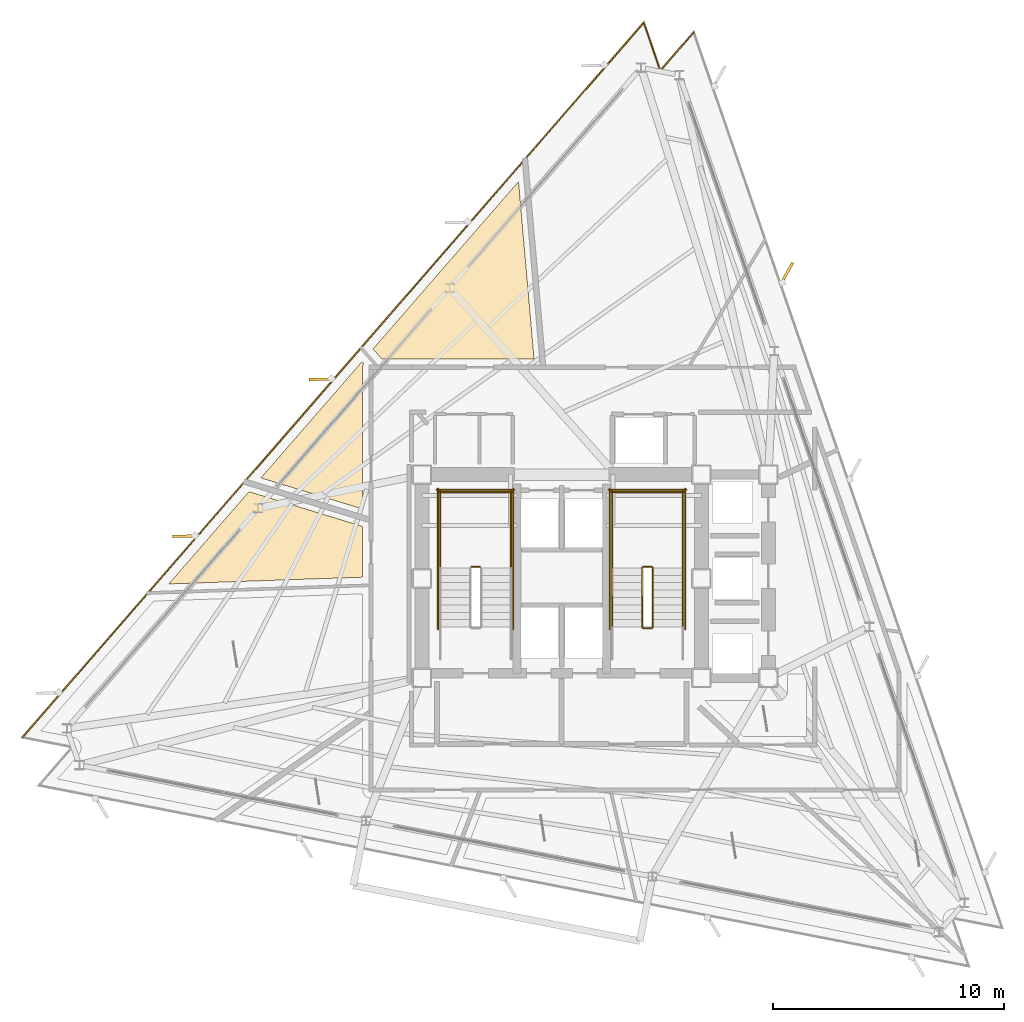
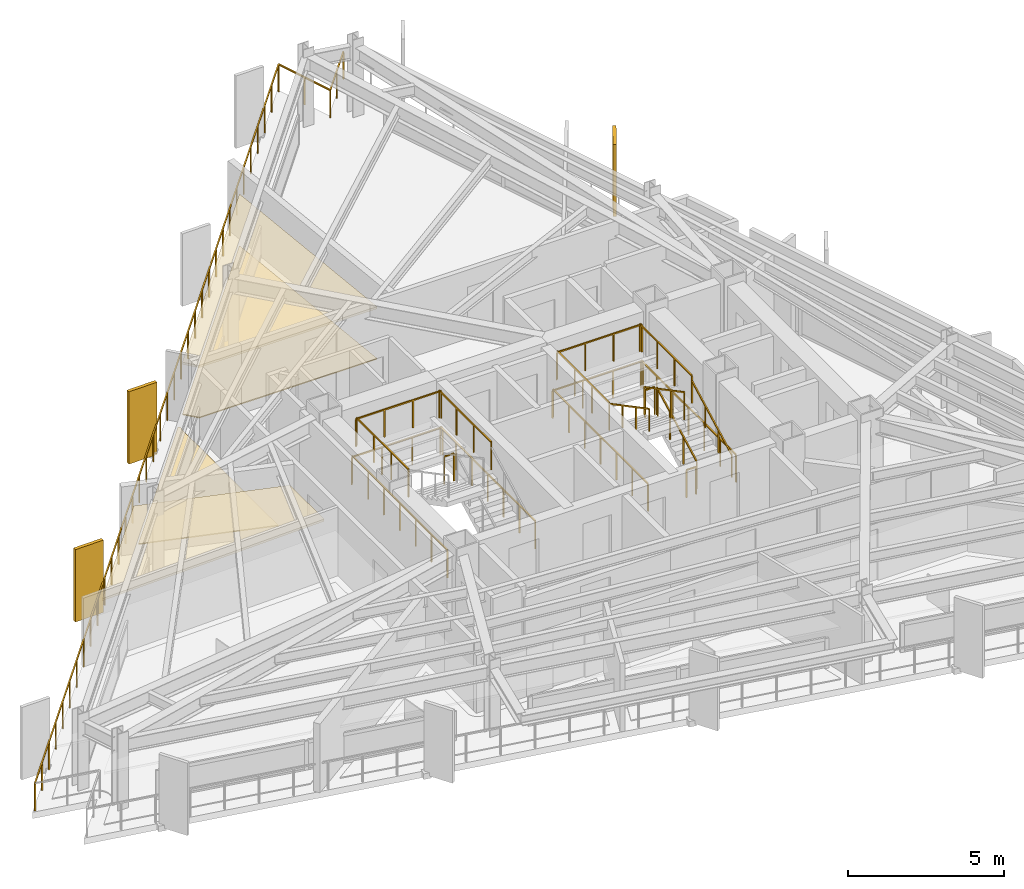
# One storey, part 13 of 14: 20 railings, 4 coverings, 3 shading devices.
"""IFC4 building model written with IfcOpenShell, lengths in metres."""

from ifc_helpers import new_model, si_unit, direction, frame, origin, origin_2d, place, context, subcontext, project, spatial, polyline, rectangle, outline, extrude, material, layer, layer_set, type_object, element, save


model = new_model("IFC4")

# Units and contexts
model_context = context("Model", 3, precision=1e-05, world=origin(), true_north=direction((0.0, 1.0)))
body_context = subcontext(model_context, "Body", "Model", "MODEL_VIEW")
ifc_project = project(units=[si_unit("LENGTHUNIT", "METRE"), si_unit("AREAUNIT", "SQUARE_METRE"), si_unit("VOLUMEUNIT", "CUBIC_METRE"), si_unit("PLANEANGLEUNIT", "RADIAN"), si_unit("MASSUNIT", "GRAM", prefix="KILO")], contexts=[model_context])

# Site, building, storey
site_placement = place(None, origin())
site = spatial("IfcSite", under=ifc_project, at=site_placement, CompositionType="ELEMENT")
building_placement = place(site_placement, origin())
building = spatial("IfcBuilding", under=site, at=building_placement, Name="Rocaltana Carrier Exchange", CompositionType="ELEMENT")
storey_placement = place(building_placement, frame((0.0, 0.0, 168.47998046875)))
storey = spatial("IfcBuildingStorey", under=building, at=storey_placement, Name="L53", CompositionType="ELEMENT", Elevation=168.47998046875)

# Coverings
ifc_material_1 = material(Name="Honed Bogota Sandstone Tile", Category="masonry")
ifc_layer_1 = layer(ifc_material_1, 0.0400390625)
ifc_layer_set_1 = layer_set([ifc_layer_1], Name="Honed Bogota Sandstone Tile")
covering_type_1 = type_object("IfcCoveringType", Name="Honed Stone Lobby Flooring 40", PredefinedType="FLOORING", material=ifc_layer_set_1)
covering_1_placement = place(storey_placement, origin())
element("IfcCovering", 1, at=covering_1_placement, inside=storey, type_object=covering_type_1, Name="L53 Carrier Peering Suite Finish Floor", PredefinedType="FLOORING", context=body_context, shape_type="SweptSolid", body=[
    extrude(outline(polyline([(-1.864990234375, 17.1875), (-1.193359375, 9.510009765625), (-7.789794921875, 9.510009765625), (-8.16455078125, 9.94091796875), (-1.864990234375, 17.1875)])), origin(), (0.0, 0.0, 1.0), 0.0400390625),
])
covering_2_placement = place(storey_placement, origin())
element("IfcCovering", 2, at=covering_2_placement, inside=storey, type_object=covering_type_1, Name="L53 Carrier Peering Suite Finish Floor", PredefinedType="FLOORING", context=body_context, shape_type="SweptSolid", body=[
    extrude(outline(polyline([(-8.6416015625, 9.39208984375), (-8.5712890625, 9.3115234375), (-8.57373046875, 9.307373046875), (-8.576904296875, 9.30029296875), (-8.58740234375, 9.27490234375), (-8.590087890625, 9.267578125), (-8.59814453125, 9.2412109375), (-8.60009765625, 9.233642578125), (-8.60546875, 9.206787109375), (-8.606689453125, 9.198974609375), (-8.609375, 9.171630859375), (-8.609619140625, 9.163818359375), (-8.610107421875, 9.14990234375), (-8.610107421875, 3.0087890625), (-13.018798828125, 4.356689453125), (-8.6416015625, 9.39208984375)])), origin(), (0.0, 0.0, 1.0), 0.0400390625),
])
ifc_material_2 = material(Name="Anodised Aluminium 6063-T6", Category="aluminium")
ifc_layer_2 = layer(ifc_material_2, 0.0849609375)
ifc_layer_set_2 = layer_set([ifc_layer_2], Name="Anodised Aluminium 6063-T6")
covering_type_2 = type_object("IfcCoveringType", Name="Linear Baffle Acoustic Ceiling 85", PredefinedType="CEILING", material=ifc_layer_set_2)
covering_3_placement = place(storey_placement, frame((0.0, 0.0, 1.98291015625)))
element("IfcCovering", 3, at=covering_3_placement, inside=storey, type_object=covering_type_2, Name="L53 Carrier Peering Suite Acoustic Ceiling", PredefinedType="CEILING", context=body_context, shape_type="SweptSolid", body=[
    extrude(outline(polyline([(-1.864990234375, 17.1875), (-1.193359375, 9.510009765625), (-7.789794921875, 9.510009765625), (-8.16455078125, 9.94091796875), (-1.864990234375, 17.1875)])), origin(), (0.0, 0.0, 1.0), 0.085205078125),
])
covering_4_placement = place(storey_placement, frame((0.0, 0.0, 1.98291015625)))
element("IfcCovering", 4, at=covering_4_placement, inside=storey, type_object=covering_type_2, Name="L53 Sky Transfer Lounge Acoustic Ceiling", PredefinedType="CEILING", context=body_context, shape_type="SweptSolid", body=[
    extrude(outline(polyline([(-13.535888671875, 3.761962890625), (-8.610107421875, 2.255859375), (-8.610107421875, 0.0595703125), (-17.009033203125, -0.23388671875), (-13.535888671875, 3.761962890625)])), origin(), (0.0, 0.0, 1.0), 0.085205078125),
])

# Railings
ifc_material_3 = material(Name="Brushed Architectural Stainless Tube", Category="steel")
ifc_layer_3 = layer(ifc_material_3, 0.048095703125)
ifc_layer_set_3 = layer_set([ifc_layer_3], Name="Brushed Architectural Stainless Tube")
railing_type_1 = type_object("IfcRailingType", Name="Stair Wall Handrail 920", PredefinedType="HANDRAIL", material=ifc_layer_set_3)
railing_1_placement = place(storey_placement, frame((5.25, -2.10009765625, 0.1689453125)))
element("IfcRailing", 5, at=railing_1_placement, inside=storey, type_object=railing_type_1, Name="L53 ST-2 stair handrail 1", PredefinedType="HANDRAIL", context=body_context, shape_type="SweptSolid", body=[
    extrude(rectangle(XDim=0.048095703125, YDim=0.048095703125, at=origin_2d()), frame((0.0, 0.0, 0.8759765625), z_axis=(0.0, 0.884394423565, 0.466740295633), x_axis=(-1.0, 0.0, 0.0)), (0.0, 0.0, 1.0), 2.894775390625),
    extrude(rectangle(XDim=0.0419921875, YDim=0.0419921875, at=origin_2d()), origin(), (0.0, 0.0, 1.0), 0.851806640625),
    extrude(rectangle(XDim=0.0419921875, YDim=0.0419921875, at=origin_2d()), frame((0.0, 0.853271484375, 0.450439453125)), (0.0, 0.0, 1.0), 0.851806640625),
    extrude(rectangle(XDim=0.0419921875, YDim=0.0419921875, at=origin_2d()), frame((0.0, 1.706787109375, 0.900634765625)), (0.0, 0.0, 1.0), 0.851806640625),
    extrude(rectangle(XDim=0.0419921875, YDim=0.0419921875, at=origin_2d()), frame((0.0, 2.56005859375, 1.35107421875)), (0.0, 0.0, 1.0), 0.851806640625),
])
railing_2_placement = place(storey_placement, frame((2.18994140625, 0.4599609375, 1.68896484375)))
element("IfcRailing", 6, at=railing_2_placement, inside=storey, type_object=railing_type_1, Name="L53 ST-2 stair handrail 2", PredefinedType="HANDRAIL", context=body_context, shape_type="SweptSolid", body=[
    extrude(rectangle(XDim=0.048095703125, YDim=0.048095703125, at=origin_2d()), frame((0.0, 0.0, 0.8759765625), z_axis=(0.0, -0.884394423565, 0.466740295633), x_axis=(1.0, 0.0, 0.0)), (0.0, 0.0, 1.0), 2.894775390625),
    extrude(rectangle(XDim=0.0419921875, YDim=0.0419921875, at=origin_2d()), origin(), (0.0, 0.0, 1.0), 0.851806640625),
    extrude(rectangle(XDim=0.0419921875, YDim=0.0419921875, at=origin_2d()), frame((0.0, -0.853271484375, 0.450439453125)), (0.0, 0.0, 1.0), 0.851806640625),
    extrude(rectangle(XDim=0.0419921875, YDim=0.0419921875, at=origin_2d()), frame((0.0, -1.706787109375, 0.900634765625)), (0.0, 0.0, 1.0), 0.851806640625),
    extrude(rectangle(XDim=0.0419921875, YDim=0.0419921875, at=origin_2d()), frame((0.0, -2.56005859375, 1.35107421875)), (0.0, 0.0, 1.0), 0.851806640625),
])
ifc_material_4 = material(Name="Powder-Coated Aluminium 6063-T6", Category="aluminium")
ifc_layer_4 = layer(ifc_material_4, 0.048095703125)
ifc_layer_set_4 = layer_set([ifc_layer_4], Name="Powder-Coated Aluminium 6063-T6")
railing_type_2 = type_object("IfcRailingType", Name="Stair Well Guardrail 1100", PredefinedType="GUARDRAIL", material=ifc_layer_set_4)
railing_3_placement = place(storey_placement, frame((-3.5400390625, 0.510009765625, 1.52001953125)))
element("IfcRailing", 7, at=railing_3_placement, inside=storey, type_object=railing_type_2, Name="L53 ST-1 stair guard 2", PredefinedType="GUARDRAIL", context=body_context, shape_type="SweptSolid", body=[
    extrude(rectangle(XDim=0.048095703125, YDim=0.048095703125, at=origin_2d()), frame((0.0, 0.0, 1.076171875), z_axis=(-1.0, 0.0, 0.0), x_axis=(0.0, -1.0, 0.0)), (0.0, 0.0, 1.0), 0.35986328125),
    extrude(rectangle(XDim=0.0419921875, YDim=0.0419921875, at=origin_2d()), origin(), (0.0, 0.0, 1.0), 1.052001953125),
    extrude(rectangle(XDim=0.0419921875, YDim=0.0419921875, at=origin_2d()), frame((-0.35986328125, 0.0, 0.0)), (0.0, 0.0, 1.0), 1.052001953125),
])
for number, where, name in (
    (8, (-2.18994140625, 0.4599609375, 1.52001953125), "L53 ST-1 stair guard 3"),
    (9, (-5.25, 0.4599609375, 1.52001953125), "L53 ST-1 stair guard 4"),
):
    element("IfcRailing", number, at=place(storey_placement, frame(where)), inside=storey, type_object=railing_type_2, Name=name, PredefinedType="GUARDRAIL", context=body_context, shape_type="SweptSolid", body=[
        extrude(rectangle(XDim=0.048095703125, YDim=0.048095703125, at=origin_2d()), frame((0.0, 0.0, 1.076171875), z_axis=(0.0, 1.0, 0.0), x_axis=(-1.0, 0.0, 0.0)), (0.0, 0.0, 1.0), 3.340087890625),
        extrude(rectangle(XDim=0.0419921875, YDim=0.0419921875, at=origin_2d()), origin(), (0.0, 0.0, 1.0), 1.052001953125),
        extrude(rectangle(XDim=0.0419921875, YDim=0.0419921875, at=origin_2d()), frame((0.0, 1.11328125, 0.0)), (0.0, 0.0, 1.0), 1.052001953125),
        extrude(rectangle(XDim=0.0419921875, YDim=0.0419921875, at=origin_2d()), frame((0.0, 2.226806640625, 0.0)), (0.0, 0.0, 1.0), 1.052001953125),
        extrude(rectangle(XDim=0.0419921875, YDim=0.0419921875, at=origin_2d()), frame((0.0, 3.340087890625, 0.0)), (0.0, 0.0, 1.0), 1.052001953125),
    ])
railing_4_placement = place(storey_placement, frame((-2.139892578125, 3.75, 1.52001953125)))
element("IfcRailing", 10, at=railing_4_placement, inside=storey, type_object=railing_type_2, Name="L53 ST-1 stair guard 5", PredefinedType="GUARDRAIL", context=body_context, shape_type="SweptSolid", body=[
    extrude(rectangle(XDim=0.048095703125, YDim=0.048095703125, at=origin_2d()), frame((0.0, 0.0, 1.076171875), z_axis=(-1.0, 0.0, 0.0), x_axis=(0.0, -1.0, 0.0)), (0.0, 0.0, 1.0), 3.16015625),
    extrude(rectangle(XDim=0.0419921875, YDim=0.0419921875, at=origin_2d()), origin(), (0.0, 0.0, 1.0), 1.052001953125),
    extrude(rectangle(XDim=0.0419921875, YDim=0.0419921875, at=origin_2d()), frame((-1.053466796875, 0.0, 0.0)), (0.0, 0.0, 1.0), 1.052001953125),
    extrude(rectangle(XDim=0.0419921875, YDim=0.0419921875, at=origin_2d()), frame((-2.106689453125, 0.0, 0.0)), (0.0, 0.0, 1.0), 1.052001953125),
    extrude(rectangle(XDim=0.0419921875, YDim=0.0419921875, at=origin_2d()), frame((-3.16015625, 0.0, 0.0)), (0.0, 0.0, 1.0), 1.052001953125),
])
for number, where, name in (
    (11, (-2.090087890625, -2.199951171875, 0.0), "L53 ST-1 stair guard 10"),
    (12, (-5.35009765625, -2.199951171875, 0.0), "L53 ST-1 stair guard 11"),
):
    element("IfcRailing", number, at=place(storey_placement, frame(where)), inside=storey, type_object=railing_type_2, Name=name, PredefinedType="GUARDRAIL", context=body_context, shape_type="SweptSolid", body=[
        extrude(rectangle(XDim=0.048095703125, YDim=0.048095703125, at=origin_2d()), frame((0.0, 0.0, 1.076171875), z_axis=(0.0, 1.0, 0.0), x_axis=(-1.0, 0.0, 0.0)), (0.0, 0.0, 1.0), 6.099853515625),
        extrude(rectangle(XDim=0.0419921875, YDim=0.0419921875, at=origin_2d()), origin(), (0.0, 0.0, 1.0), 1.052001953125),
        extrude(rectangle(XDim=0.0419921875, YDim=0.0419921875, at=origin_2d()), frame((0.0, 1.0166015625, 0.0)), (0.0, 0.0, 1.0), 1.052001953125),
        extrude(rectangle(XDim=0.0419921875, YDim=0.0419921875, at=origin_2d()), frame((0.0, 2.033203125, 0.0)), (0.0, 0.0, 1.0), 1.052001953125),
        extrude(rectangle(XDim=0.0419921875, YDim=0.0419921875, at=origin_2d()), frame((0.0, 3.0498046875, 0.0)), (0.0, 0.0, 1.0), 1.052001953125),
        extrude(rectangle(XDim=0.0419921875, YDim=0.0419921875, at=origin_2d()), frame((0.0, 4.066650390625, 0.0)), (0.0, 0.0, 1.0), 1.052001953125),
        extrude(rectangle(XDim=0.0419921875, YDim=0.0419921875, at=origin_2d()), frame((0.0, 5.083251953125, 0.0)), (0.0, 0.0, 1.0), 1.052001953125),
        extrude(rectangle(XDim=0.0419921875, YDim=0.0419921875, at=origin_2d()), frame((0.0, 6.099853515625, 0.0)), (0.0, 0.0, 1.0), 1.052001953125),
    ])
railing_5_placement = place(storey_placement, frame((-2.0400390625, 3.85009765625, 0.0)))
element("IfcRailing", 13, at=railing_5_placement, inside=storey, type_object=railing_type_2, Name="L53 ST-1 stair guard 12", PredefinedType="GUARDRAIL", context=body_context, shape_type="SweptSolid", body=[
    extrude(rectangle(XDim=0.048095703125, YDim=0.048095703125, at=origin_2d()), frame((0.0, 0.0, 1.076171875), z_axis=(-1.0, 0.0, 0.0), x_axis=(0.0, -1.0, 0.0)), (0.0, 0.0, 1.0), 3.35986328125),
    extrude(rectangle(XDim=0.0419921875, YDim=0.0419921875, at=origin_2d()), origin(), (0.0, 0.0, 1.0), 1.052001953125),
    extrude(rectangle(XDim=0.0419921875, YDim=0.0419921875, at=origin_2d()), frame((-1.119873046875, 0.0, 0.0)), (0.0, 0.0, 1.0), 1.052001953125),
    extrude(rectangle(XDim=0.0419921875, YDim=0.0419921875, at=origin_2d()), frame((-2.239990234375, 0.0, 0.0)), (0.0, 0.0, 1.0), 1.052001953125),
    extrude(rectangle(XDim=0.0419921875, YDim=0.0419921875, at=origin_2d()), frame((-3.35986328125, 0.0, 0.0)), (0.0, 0.0, 1.0), 1.052001953125),
])
railing_6_placement = place(storey_placement, frame((3.949951171875, -2.10009765625, 0.1689453125)))
element("IfcRailing", 14, at=railing_6_placement, inside=storey, type_object=railing_type_2, Name="L53 ST-2 stair guard 1", PredefinedType="GUARDRAIL", context=body_context, shape_type="SweptSolid", body=[
    extrude(rectangle(XDim=0.048095703125, YDim=0.048095703125, at=origin_2d()), frame((0.0, 0.0, 1.076171875), z_axis=(0.0, 0.884394423565, 0.466740295633), x_axis=(-1.0, 0.0, 0.0)), (0.0, 0.0, 1.0), 2.894775390625),
    extrude(rectangle(XDim=0.0419921875, YDim=0.0419921875, at=origin_2d()), origin(), (0.0, 0.0, 1.0), 1.052001953125),
    extrude(rectangle(XDim=0.0419921875, YDim=0.0419921875, at=origin_2d()), frame((0.0, 0.853271484375, 0.450439453125)), (0.0, 0.0, 1.0), 1.052001953125),
    extrude(rectangle(XDim=0.0419921875, YDim=0.0419921875, at=origin_2d()), frame((0.0, 1.706787109375, 0.900634765625)), (0.0, 0.0, 1.0), 1.052001953125),
    extrude(rectangle(XDim=0.0419921875, YDim=0.0419921875, at=origin_2d()), frame((0.0, 2.56005859375, 1.35107421875)), (0.0, 0.0, 1.0), 1.052001953125),
])
railing_7_placement = place(storey_placement, frame((3.89990234375, 0.510009765625, 1.52001953125)))
element("IfcRailing", 15, at=railing_7_placement, inside=storey, type_object=railing_type_2, Name="L53 ST-2 stair guard 2", PredefinedType="GUARDRAIL", context=body_context, shape_type="SweptSolid", body=[
    extrude(rectangle(XDim=0.048095703125, YDim=0.048095703125, at=origin_2d()), frame((0.0, 0.0, 1.076171875), z_axis=(-1.0, 0.0, 0.0), x_axis=(0.0, -1.0, 0.0)), (0.0, 0.0, 1.0), 0.35986328125),
    extrude(rectangle(XDim=0.0419921875, YDim=0.0419921875, at=origin_2d()), origin(), (0.0, 0.0, 1.0), 1.052001953125),
    extrude(rectangle(XDim=0.0419921875, YDim=0.0419921875, at=origin_2d()), frame((-0.35986328125, 0.0, 0.0)), (0.0, 0.0, 1.0), 1.052001953125),
])
for number, where, name in (
    (16, (5.25, 0.4599609375, 1.52001953125), "L53 ST-2 stair guard 3"),
    (17, (2.18994140625, 0.4599609375, 1.52001953125), "L53 ST-2 stair guard 4"),
):
    element("IfcRailing", number, at=place(storey_placement, frame(where)), inside=storey, type_object=railing_type_2, Name=name, PredefinedType="GUARDRAIL", context=body_context, shape_type="SweptSolid", body=[
        extrude(rectangle(XDim=0.048095703125, YDim=0.048095703125, at=origin_2d()), frame((0.0, 0.0, 1.076171875), z_axis=(0.0, 1.0, 0.0), x_axis=(-1.0, 0.0, 0.0)), (0.0, 0.0, 1.0), 3.340087890625),
        extrude(rectangle(XDim=0.0419921875, YDim=0.0419921875, at=origin_2d()), origin(), (0.0, 0.0, 1.0), 1.052001953125),
        extrude(rectangle(XDim=0.0419921875, YDim=0.0419921875, at=origin_2d()), frame((0.0, 1.11328125, 0.0)), (0.0, 0.0, 1.0), 1.052001953125),
        extrude(rectangle(XDim=0.0419921875, YDim=0.0419921875, at=origin_2d()), frame((0.0, 2.226806640625, 0.0)), (0.0, 0.0, 1.0), 1.052001953125),
        extrude(rectangle(XDim=0.0419921875, YDim=0.0419921875, at=origin_2d()), frame((0.0, 3.340087890625, 0.0)), (0.0, 0.0, 1.0), 1.052001953125),
    ])
railing_8_placement = place(storey_placement, frame((5.300048828125, 3.75, 1.52001953125)))
element("IfcRailing", 18, at=railing_8_placement, inside=storey, type_object=railing_type_2, Name="L53 ST-2 stair guard 5", PredefinedType="GUARDRAIL", context=body_context, shape_type="SweptSolid", body=[
    extrude(rectangle(XDim=0.048095703125, YDim=0.048095703125, at=origin_2d()), frame((0.0, 0.0, 1.076171875), z_axis=(-1.0, 0.0, 0.0), x_axis=(0.0, -1.0, 0.0)), (0.0, 0.0, 1.0), 3.16015625),
    extrude(rectangle(XDim=0.0419921875, YDim=0.0419921875, at=origin_2d()), origin(), (0.0, 0.0, 1.0), 1.052001953125),
    extrude(rectangle(XDim=0.0419921875, YDim=0.0419921875, at=origin_2d()), frame((-1.053466796875, 0.0, 0.0)), (0.0, 0.0, 1.0), 1.052001953125),
    extrude(rectangle(XDim=0.0419921875, YDim=0.0419921875, at=origin_2d()), frame((-2.106689453125, 0.0, 0.0)), (0.0, 0.0, 1.0), 1.052001953125),
    extrude(rectangle(XDim=0.0419921875, YDim=0.0419921875, at=origin_2d()), frame((-3.16015625, 0.0, 0.0)), (0.0, 0.0, 1.0), 1.052001953125),
])
railing_9_placement = place(storey_placement, frame((3.489990234375, 0.4599609375, 1.68896484375)))
element("IfcRailing", 19, at=railing_9_placement, inside=storey, type_object=railing_type_2, Name="L53 ST-2 stair guard 6", PredefinedType="GUARDRAIL", context=body_context, shape_type="SweptSolid", body=[
    extrude(rectangle(XDim=0.048095703125, YDim=0.048095703125, at=origin_2d()), frame((0.0, 0.0, 1.076171875), z_axis=(0.0, -0.884394423565, 0.466740295633), x_axis=(1.0, 0.0, 0.0)), (0.0, 0.0, 1.0), 2.894775390625),
    extrude(rectangle(XDim=0.0419921875, YDim=0.0419921875, at=origin_2d()), origin(), (0.0, 0.0, 1.0), 1.052001953125),
    extrude(rectangle(XDim=0.0419921875, YDim=0.0419921875, at=origin_2d()), frame((0.0, -0.853271484375, 0.450439453125)), (0.0, 0.0, 1.0), 1.052001953125),
    extrude(rectangle(XDim=0.0419921875, YDim=0.0419921875, at=origin_2d()), frame((0.0, -1.706787109375, 0.900634765625)), (0.0, 0.0, 1.0), 1.052001953125),
    extrude(rectangle(XDim=0.0419921875, YDim=0.0419921875, at=origin_2d()), frame((0.0, -2.56005859375, 1.35107421875)), (0.0, 0.0, 1.0), 1.052001953125),
])
railing_10_placement = place(storey_placement, frame((3.89990234375, -2.14990234375, 0.0)))
element("IfcRailing", 20, at=railing_10_placement, inside=storey, type_object=railing_type_2, Name="L53 ST-2 stair guard 7", PredefinedType="GUARDRAIL", context=body_context, shape_type="SweptSolid", body=[
    extrude(rectangle(XDim=0.048095703125, YDim=0.048095703125, at=origin_2d()), frame((0.0, 0.0, 1.076171875), z_axis=(-1.0, 0.0, 0.0), x_axis=(0.0, -1.0, 0.0)), (0.0, 0.0, 1.0), 0.35986328125),
    extrude(rectangle(XDim=0.0419921875, YDim=0.0419921875, at=origin_2d()), origin(), (0.0, 0.0, 1.0), 1.052001953125),
    extrude(rectangle(XDim=0.0419921875, YDim=0.0419921875, at=origin_2d()), frame((-0.35986328125, 0.0, 0.0)), (0.0, 0.0, 1.0), 1.052001953125),
])
for number, where, name in (
    (21, (5.35009765625, -2.199951171875, 0.0), "L53 ST-2 stair guard 10"),
    (22, (2.090087890625, -2.199951171875, 0.0), "L53 ST-2 stair guard 11"),
):
    element("IfcRailing", number, at=place(storey_placement, frame(where)), inside=storey, type_object=railing_type_2, Name=name, PredefinedType="GUARDRAIL", context=body_context, shape_type="SweptSolid", body=[
        extrude(rectangle(XDim=0.048095703125, YDim=0.048095703125, at=origin_2d()), frame((0.0, 0.0, 1.076171875), z_axis=(0.0, 1.0, 0.0), x_axis=(-1.0, 0.0, 0.0)), (0.0, 0.0, 1.0), 6.099853515625),
        extrude(rectangle(XDim=0.0419921875, YDim=0.0419921875, at=origin_2d()), origin(), (0.0, 0.0, 1.0), 1.052001953125),
        extrude(rectangle(XDim=0.0419921875, YDim=0.0419921875, at=origin_2d()), frame((0.0, 1.0166015625, 0.0)), (0.0, 0.0, 1.0), 1.052001953125),
        extrude(rectangle(XDim=0.0419921875, YDim=0.0419921875, at=origin_2d()), frame((0.0, 2.033203125, 0.0)), (0.0, 0.0, 1.0), 1.052001953125),
        extrude(rectangle(XDim=0.0419921875, YDim=0.0419921875, at=origin_2d()), frame((0.0, 3.0498046875, 0.0)), (0.0, 0.0, 1.0), 1.052001953125),
        extrude(rectangle(XDim=0.0419921875, YDim=0.0419921875, at=origin_2d()), frame((0.0, 4.066650390625, 0.0)), (0.0, 0.0, 1.0), 1.052001953125),
        extrude(rectangle(XDim=0.0419921875, YDim=0.0419921875, at=origin_2d()), frame((0.0, 5.083251953125, 0.0)), (0.0, 0.0, 1.0), 1.052001953125),
        extrude(rectangle(XDim=0.0419921875, YDim=0.0419921875, at=origin_2d()), frame((0.0, 6.099853515625, 0.0)), (0.0, 0.0, 1.0), 1.052001953125),
    ])
railing_11_placement = place(storey_placement, frame((5.39990234375, 3.85009765625, 0.0)))
element("IfcRailing", 23, at=railing_11_placement, inside=storey, type_object=railing_type_2, Name="L53 ST-2 stair guard 12", PredefinedType="GUARDRAIL", context=body_context, shape_type="SweptSolid", body=[
    extrude(rectangle(XDim=0.048095703125, YDim=0.048095703125, at=origin_2d()), frame((0.0, 0.0, 1.076171875), z_axis=(-1.0, 0.0, 0.0), x_axis=(0.0, -1.0, 0.0)), (0.0, 0.0, 1.0), 3.35986328125),
    extrude(rectangle(XDim=0.0419921875, YDim=0.0419921875, at=origin_2d()), origin(), (0.0, 0.0, 1.0), 1.052001953125),
    extrude(rectangle(XDim=0.0419921875, YDim=0.0419921875, at=origin_2d()), frame((-1.119873046875, 0.0, 0.0)), (0.0, 0.0, 1.0), 1.052001953125),
    extrude(rectangle(XDim=0.0419921875, YDim=0.0419921875, at=origin_2d()), frame((-2.239990234375, 0.0, 0.0)), (0.0, 0.0, 1.0), 1.052001953125),
    extrude(rectangle(XDim=0.0419921875, YDim=0.0419921875, at=origin_2d()), frame((-3.35986328125, 0.0, 0.0)), (0.0, 0.0, 1.0), 1.052001953125),
])

# Shading devices
ifc_material_5 = material(Name="Honed Bogota Sandstone & Concrete C45/55", Category="masonry")
ifc_layer_5 = layer(ifc_material_5, 0.1201171875)
ifc_layer_set_5 = layer_set([ifc_layer_5], Name="Honed Bogota Sandstone & Concrete C45/55")
shading_device_type = type_object("IfcShadingDeviceType", Name="Upper Sandstone Shading Fin 1050x120", PredefinedType="USERDEFINED", material=ifc_layer_set_5)
for number, where, z_axis, x_axis, name in (
    (24, (9.75146484375, 13.219482421875, -0.119873046875), (0.0, 0.0, 1.0), (0.484809620246, 0.874619707139, 0.0), "L53 Sandstone Vertical Fin F1-04"),
    (25, (-10.419677734375, 8.627685546875, -0.119873046875), (0.0, 0.0, 1.0), (-0.999847695156, -0.017452406437, 0.0), "L53 Sandstone Vertical Fin F2-03"),
    (26, (-16.32421875, 1.835205078125, -0.119873046875), (0.0, 0.0, 1.0), (-0.999847695156, -0.017452406437, 0.0), "L53 Sandstone Vertical Fin F2-04"),
):
    element("IfcShadingDevice", number, at=place(storey_placement, frame(where, z_axis=z_axis, x_axis=x_axis)), inside=storey, type_object=shading_device_type, Name=name, ObjectType="FIN", PredefinedType="USERDEFINED", context=body_context, shape_type="SweptSolid", body=[
        extrude(rectangle(XDim=1.050048828125, YDim=0.1201171875, at=origin_2d()), origin(), (0.0, 0.0, 1.0), 2.837890625),
    ])

# Railing
ifc_material_6 = material(Name="Powder-Coated Aluminium 6063-T6", Category="aluminium")
ifc_layer_6 = layer(ifc_material_6, 0.06005859375)
ifc_layer_set_6 = layer_set([ifc_layer_6], Name="Powder-Coated Aluminium 6063-T6")
railing_type_3 = type_object("IfcRailingType", Name="Wind-Floor & Terrace Perimeter Guardrail 1100", PredefinedType="GUARDRAIL", material=ifc_layer_set_6)
railing_12_placement = place(storey_placement, frame((-23.3359375, -6.871826171875, 0.0)))
element("IfcRailing", 27, at=railing_12_placement, inside=storey, type_object=railing_type_3, Name="L53 Perimeter Balcony Guardrail 2", PredefinedType="GUARDRAIL", context=body_context, shape_type="SweptSolid", body=[
    extrude(rectangle(XDim=0.048095703125, YDim=0.048095703125, at=origin_2d()), frame((0.0, 0.0, 1.076171875), z_axis=(0.656058089841, 0.754710396612, 0.0), x_axis=(-0.754710396612, 0.656058089841, 0.0)), (0.0, 0.0, 1.0), 40.991943359375),
    extrude(rectangle(XDim=0.048095703125, YDim=0.048095703125, at=origin_2d()), frame((26.89306640625, 30.93701171875, 1.076171875), z_axis=(0.325600768791, -0.945507344955, 0.0), x_axis=(0.945507344955, 0.325600768791, 0.0)), (0.0, 0.0, 1.0), 2.199951171875),
    extrude(rectangle(XDim=0.048095703125, YDim=0.048095703125, at=origin_2d()), frame((27.609375, 28.85693359375, 1.076171875), z_axis=(0.656057821484, 0.75471062989, 0.0), x_axis=(-0.75471062989, 0.656057821484, 0.0)), (0.0, 0.0, 1.0), 2.199951171875),
    extrude(rectangle(XDim=0.0419921875, YDim=0.0419921875, at=origin_2d()), origin(), (0.0, 0.0, 1.0), 1.052001953125),
    extrude(rectangle(XDim=0.0419921875, YDim=0.0419921875, at=origin_2d()), frame((0.768310546875, 0.884033203125, 0.0)), (0.0, 0.0, 1.0), 1.052001953125),
    extrude(rectangle(XDim=0.0419921875, YDim=0.0419921875, at=origin_2d()), frame((1.536865234375, 1.767822265625, 0.0)), (0.0, 0.0, 1.0), 1.052001953125),
    extrude(rectangle(XDim=0.0419921875, YDim=0.0419921875, at=origin_2d()), frame((2.30517578125, 2.65185546875, 0.0)), (0.0, 0.0, 1.0), 1.052001953125),
    extrude(rectangle(XDim=0.0419921875, YDim=0.0419921875, at=origin_2d()), frame((3.073486328125, 3.53564453125, 0.0)), (0.0, 0.0, 1.0), 1.052001953125),
    extrude(rectangle(XDim=0.0419921875, YDim=0.0419921875, at=origin_2d()), frame((3.841796875, 4.419677734375, 0.0)), (0.0, 0.0, 1.0), 1.052001953125),
    extrude(rectangle(XDim=0.0419921875, YDim=0.0419921875, at=origin_2d()), frame((4.6103515625, 5.303466796875, 0.0)), (0.0, 0.0, 1.0), 1.052001953125),
    extrude(rectangle(XDim=0.0419921875, YDim=0.0419921875, at=origin_2d()), frame((5.378662109375, 6.1875, 0.0)), (0.0, 0.0, 1.0), 1.052001953125),
    extrude(rectangle(XDim=0.0419921875, YDim=0.0419921875, at=origin_2d()), frame((6.14697265625, 7.0712890625, 0.0)), (0.0, 0.0, 1.0), 1.052001953125),
    extrude(rectangle(XDim=0.0419921875, YDim=0.0419921875, at=origin_2d()), frame((6.915283203125, 7.955322265625, 0.0)), (0.0, 0.0, 1.0), 1.052001953125),
    extrude(rectangle(XDim=0.0419921875, YDim=0.0419921875, at=origin_2d()), frame((7.683837890625, 8.839111328125, 0.0)), (0.0, 0.0, 1.0), 1.052001953125),
    extrude(rectangle(XDim=0.0419921875, YDim=0.0419921875, at=origin_2d()), frame((8.4521484375, 9.72314453125, 0.0)), (0.0, 0.0, 1.0), 1.052001953125),
    extrude(rectangle(XDim=0.0419921875, YDim=0.0419921875, at=origin_2d()), frame((9.220458984375, 10.60693359375, 0.0)), (0.0, 0.0, 1.0), 1.052001953125),
    extrude(rectangle(XDim=0.0419921875, YDim=0.0419921875, at=origin_2d()), frame((9.98876953125, 11.490966796875, 0.0)), (0.0, 0.0, 1.0), 1.052001953125),
    extrude(rectangle(XDim=0.0419921875, YDim=0.0419921875, at=origin_2d()), frame((10.75732421875, 12.374755859375, 0.0)), (0.0, 0.0, 1.0), 1.052001953125),
    extrude(rectangle(XDim=0.0419921875, YDim=0.0419921875, at=origin_2d()), frame((11.525634765625, 13.2587890625, 0.0)), (0.0, 0.0, 1.0), 1.052001953125),
    extrude(rectangle(XDim=0.0419921875, YDim=0.0419921875, at=origin_2d()), frame((12.2939453125, 14.142578125, 0.0)), (0.0, 0.0, 1.0), 1.052001953125),
    extrude(rectangle(XDim=0.0419921875, YDim=0.0419921875, at=origin_2d()), frame((13.062255859375, 15.026611328125, 0.0)), (0.0, 0.0, 1.0), 1.052001953125),
    extrude(rectangle(XDim=0.0419921875, YDim=0.0419921875, at=origin_2d()), frame((13.830810546875, 15.910400390625, 0.0)), (0.0, 0.0, 1.0), 1.052001953125),
    extrude(rectangle(XDim=0.0419921875, YDim=0.0419921875, at=origin_2d()), frame((14.59912109375, 16.79443359375, 0.0)), (0.0, 0.0, 1.0), 1.052001953125),
    extrude(rectangle(XDim=0.0419921875, YDim=0.0419921875, at=origin_2d()), frame((15.367431640625, 17.67822265625, 0.0)), (0.0, 0.0, 1.0), 1.052001953125),
    extrude(rectangle(XDim=0.0419921875, YDim=0.0419921875, at=origin_2d()), frame((16.1357421875, 18.562255859375, 0.0)), (0.0, 0.0, 1.0), 1.052001953125),
    extrude(rectangle(XDim=0.0419921875, YDim=0.0419921875, at=origin_2d()), frame((16.904296875, 19.446044921875, 0.0)), (0.0, 0.0, 1.0), 1.052001953125),
    extrude(rectangle(XDim=0.0419921875, YDim=0.0419921875, at=origin_2d()), frame((17.672607421875, 20.330078125, 0.0)), (0.0, 0.0, 1.0), 1.052001953125),
    extrude(rectangle(XDim=0.0419921875, YDim=0.0419921875, at=origin_2d()), frame((18.44091796875, 21.2138671875, 0.0)), (0.0, 0.0, 1.0), 1.052001953125),
    extrude(rectangle(XDim=0.0419921875, YDim=0.0419921875, at=origin_2d()), frame((19.209228515625, 22.097900390625, 0.0)), (0.0, 0.0, 1.0), 1.052001953125),
    extrude(rectangle(XDim=0.0419921875, YDim=0.0419921875, at=origin_2d()), frame((19.977783203125, 22.981689453125, 0.0)), (0.0, 0.0, 1.0), 1.052001953125),
    extrude(rectangle(XDim=0.0419921875, YDim=0.0419921875, at=origin_2d()), frame((20.74609375, 23.86572265625, 0.0)), (0.0, 0.0, 1.0), 1.052001953125),
    extrude(rectangle(XDim=0.0419921875, YDim=0.0419921875, at=origin_2d()), frame((21.514404296875, 24.74951171875, 0.0)), (0.0, 0.0, 1.0), 1.052001953125),
    extrude(rectangle(XDim=0.0419921875, YDim=0.0419921875, at=origin_2d()), frame((22.28271484375, 25.633544921875, 0.0)), (0.0, 0.0, 1.0), 1.052001953125),
    extrude(rectangle(XDim=0.0419921875, YDim=0.0419921875, at=origin_2d()), frame((23.05126953125, 26.517333984375, 0.0)), (0.0, 0.0, 1.0), 1.052001953125),
    extrude(rectangle(XDim=0.0419921875, YDim=0.0419921875, at=origin_2d()), frame((23.819580078125, 27.4013671875, 0.0)), (0.0, 0.0, 1.0), 1.052001953125),
    extrude(rectangle(XDim=0.0419921875, YDim=0.0419921875, at=origin_2d()), frame((24.587890625, 28.28515625, 0.0)), (0.0, 0.0, 1.0), 1.052001953125),
    extrude(rectangle(XDim=0.0419921875, YDim=0.0419921875, at=origin_2d()), frame((25.356201171875, 29.169189453125, 0.0)), (0.0, 0.0, 1.0), 1.052001953125),
    extrude(rectangle(XDim=0.0419921875, YDim=0.0419921875, at=origin_2d()), frame((26.124755859375, 30.052978515625, 0.0)), (0.0, 0.0, 1.0), 1.052001953125),
    extrude(rectangle(XDim=0.0419921875, YDim=0.0419921875, at=origin_2d()), frame((26.89306640625, 30.93701171875, 0.0)), (0.0, 0.0, 1.0), 1.052001953125),
    extrude(rectangle(XDim=0.0419921875, YDim=0.0419921875, at=origin_2d()), frame((27.251220703125, 29.89697265625, 0.0)), (0.0, 0.0, 1.0), 1.052001953125),
    extrude(rectangle(XDim=0.0419921875, YDim=0.0419921875, at=origin_2d()), frame((27.609375, 28.85693359375, 0.0)), (0.0, 0.0, 1.0), 1.052001953125),
    extrude(rectangle(XDim=0.0419921875, YDim=0.0419921875, at=origin_2d()), frame((28.3310546875, 29.68701171875, 0.0)), (0.0, 0.0, 1.0), 1.052001953125),
    extrude(rectangle(XDim=0.0419921875, YDim=0.0419921875, at=origin_2d()), frame((29.052734375, 30.517333984375, 0.0)), (0.0, 0.0, 1.0), 1.052001953125),
])

save(model, "model.ifc")
